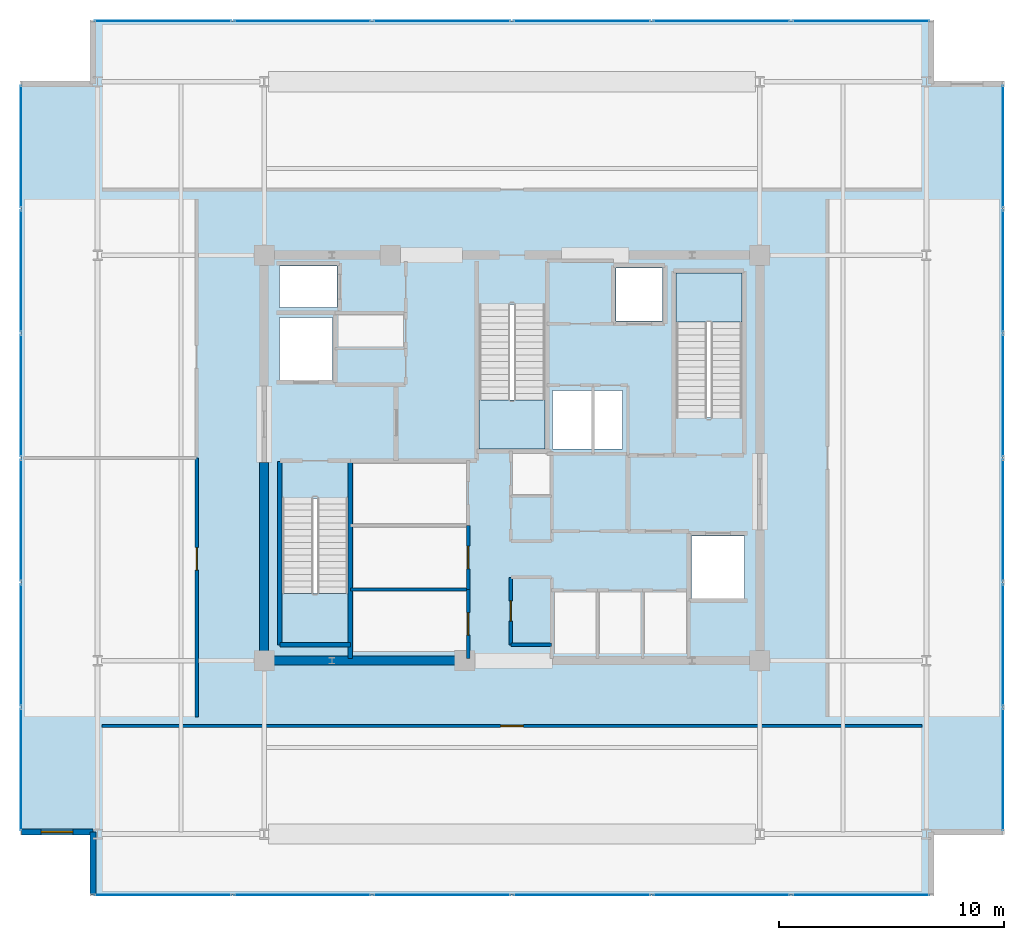
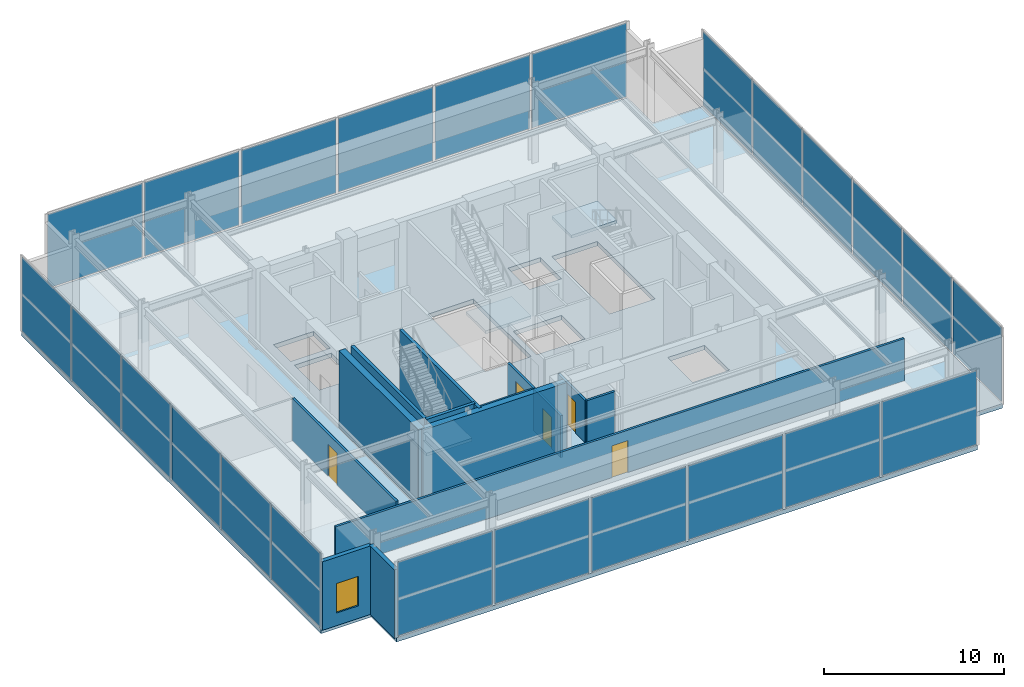
# One storey, part 17 of 24: 24 plates, 14 walls, 5 doors, 4 slabs, 1 window, 6 openings, 7 elements without a shape of their own.
"""IFC4 building model written with IfcOpenShell, lengths in metres."""

from ifc_helpers import new_model, si_unit, direction, frame, frame_2d, origin, origin_2d, place, context, subcontext, project, spatial, polyline, rectangle, outline, extrude, material, layer, layer_set, type_object, element, fill, aggregate, save


model = new_model("IFC4")

# Units and contexts
model_context = context("Model", 3, precision=1e-05, world=origin(), true_north=direction((0.0, 1.0)))
body_context = subcontext(model_context, "Body", "Model", "MODEL_VIEW")
ifc_project = project(units=[si_unit("LENGTHUNIT", "METRE"), si_unit("AREAUNIT", "SQUARE_METRE"), si_unit("VOLUMEUNIT", "CUBIC_METRE"), si_unit("PLANEANGLEUNIT", "RADIAN"), si_unit("MASSUNIT", "GRAM", prefix="KILO")], contexts=[model_context])

# Site, building, storey
site_placement = place(None, origin())
site = spatial("IfcSite", under=ifc_project, at=site_placement, CompositionType="ELEMENT")
building_placement = place(site_placement, origin())
building = spatial("IfcBuilding", under=site, at=building_placement, Name="Kovane Verandah Tower", CompositionType="ELEMENT")
storey_placement = place(building_placement, frame((0.0, 0.0, 348.800048828125)))
storey = spatial("IfcBuildingStorey", under=building, at=storey_placement, Name="L81", CompositionType="ELEMENT", Elevation=348.800048828125)

# Curtain wall, plates
ifc_material_1 = material(Name="Champagne Anodised Aluminium Frame with Low-E Clear Laminated Glass", Category="aluminium")
curtain_wall_type = type_object("IfcCurtainWallType", Name="CW-SYS-06-CROWN", PredefinedType="NOTDEFINED", material=ifc_material_1)
curtain_wall_1_placement = place(storey_placement, origin())
curtain_wall_1 = element("IfcCurtainWall", 1, at=curtain_wall_1_placement, inside=storey, type_object=curtain_wall_type, Name="L81 S Unitised Curtain Wall", PredefinedType="NOTDEFINED")
ifc_material_2 = material(Name="Clear Low-E Laminated Double Glazing", Category="glass")
ifc_layer_1 = layer(ifc_material_2, 0.031982421875)
ifc_layer_set_1 = layer_set([ifc_layer_1], Name="Clear Low-E Laminated Double Glazing")
plate_type = type_object("IfcPlateType", Name="PL-CW-VIS-32", PredefinedType="CURTAIN_PANEL", material=ifc_layer_set_1)
plate_1_placement = place(storey_placement, frame((24.5, 8.10009765625, 0.099853515625), z_axis=(0.0, 0.0, 1.0), x_axis=(1.0, 0.0, 0.0)))
plate_1 = element("IfcPlate", 2, at=plate_1_placement, type_object=plate_type, Name="L81 S Unitised Curtain Wall Full-Height Vision Panel 1", PredefinedType="CURTAIN_PANEL", context=body_context, shape_type="SweptSolid", body=[
    extrude(rectangle(XDim=6.06005859375, YDim=0.031982421875, at=origin_2d()), origin(), (0.0, 0.0, 1.0), 5.0),
])
plate_2_placement = place(storey_placement, frame((30.699951171875, 8.10009765625, 0.099853515625), z_axis=(0.0, 0.0, 1.0), x_axis=(1.0, 0.0, 0.0)))
plate_2 = element("IfcPlate", 3, at=plate_2_placement, type_object=plate_type, Name="L81 S Unitised Curtain Wall Full-Height Vision Panel 2", PredefinedType="CURTAIN_PANEL", context=body_context, shape_type="SweptSolid", body=[
    extrude(rectangle(XDim=6.06005859375, YDim=0.031982421875, at=origin_2d()), origin(), (0.0, 0.0, 1.0), 5.0),
])
plate_3_placement = place(storey_placement, frame((36.89990234375, 8.10009765625, 0.099853515625), z_axis=(0.0, 0.0, 1.0), x_axis=(1.0, 0.0, 0.0)))
plate_3 = element("IfcPlate", 4, at=plate_3_placement, type_object=plate_type, Name="L81 S Unitised Curtain Wall Full-Height Vision Panel 3", PredefinedType="CURTAIN_PANEL", context=body_context, shape_type="SweptSolid", body=[
    extrude(rectangle(XDim=6.06005859375, YDim=0.031982421875, at=origin_2d()), origin(), (0.0, 0.0, 1.0), 5.0),
])
plate_4_placement = place(storey_placement, frame((43.10009765625, 8.10009765625, 0.099853515625), z_axis=(0.0, 0.0, 1.0), x_axis=(1.0, 0.0, 0.0)))
plate_4 = element("IfcPlate", 5, at=plate_4_placement, type_object=plate_type, Name="L81 S Unitised Curtain Wall Full-Height Vision Panel 4", PredefinedType="CURTAIN_PANEL", context=body_context, shape_type="SweptSolid", body=[
    extrude(rectangle(XDim=6.06005859375, YDim=0.031982421875, at=origin_2d()), origin(), (0.0, 0.0, 1.0), 5.0),
])
plate_5_placement = place(storey_placement, frame((49.300048828125, 8.10009765625, 0.099853515625), z_axis=(0.0, 0.0, 1.0), x_axis=(1.0, 0.0, 0.0)))
plate_5 = element("IfcPlate", 6, at=plate_5_placement, type_object=plate_type, Name="L81 S Unitised Curtain Wall Full-Height Vision Panel 5", PredefinedType="CURTAIN_PANEL", context=body_context, shape_type="SweptSolid", body=[
    extrude(rectangle(XDim=6.06005859375, YDim=0.031982421875, at=origin_2d()), origin(), (0.0, 0.0, 1.0), 5.0),
])
plate_6_placement = place(storey_placement, frame((55.5, 8.10009765625, 0.099853515625), z_axis=(0.0, 0.0, 1.0), x_axis=(1.0, 0.0, 0.0)))
plate_6 = element("IfcPlate", 7, at=plate_6_placement, type_object=plate_type, Name="L81 S Unitised Curtain Wall Full-Height Vision Panel 6", PredefinedType="CURTAIN_PANEL", context=body_context, shape_type="SweptSolid", body=[
    extrude(rectangle(XDim=6.06005859375, YDim=0.031982421875, at=origin_2d()), origin(), (0.0, 0.0, 1.0), 5.0),
])
aggregate(curtain_wall_1, [plate_1, plate_2, plate_3, plate_4, plate_5, plate_6])

curtain_wall_2_placement = place(storey_placement, origin())
curtain_wall_2 = element("IfcCurtainWall", 8, at=curtain_wall_2_placement, inside=storey, type_object=curtain_wall_type, Name="L81 E Unitised Curtain Wall", PredefinedType="NOTDEFINED")
plate_7_placement = place(storey_placement, frame((61.800048828125, 13.666748046875, 0.099853515625), z_axis=(0.0, 0.0, 1.0), x_axis=(0.0, 1.0, 0.0)))
plate_7 = element("IfcPlate", 9, at=plate_7_placement, type_object=plate_type, Name="L81 E Unitised Curtain Wall Full-Height Vision Panel 1", PredefinedType="CURTAIN_PANEL", context=body_context, shape_type="SweptSolid", body=[
    extrude(rectangle(XDim=5.393310546875, YDim=0.031982421875, at=origin_2d()), origin(), (0.0, 0.0, 1.0), 5.0),
])
plate_8_placement = place(storey_placement, frame((61.800048828125, 19.199951171875, 0.099853515625), z_axis=(0.0, 0.0, 1.0), x_axis=(0.0, 1.0, 0.0)))
plate_8 = element("IfcPlate", 10, at=plate_8_placement, type_object=plate_type, Name="L81 E Unitised Curtain Wall Full-Height Vision Panel 2", PredefinedType="CURTAIN_PANEL", context=body_context, shape_type="SweptSolid", body=[
    extrude(rectangle(XDim=5.393310546875, YDim=0.031982421875, at=origin_2d()), origin(), (0.0, 0.0, 1.0), 5.0),
])
plate_9_placement = place(storey_placement, frame((61.800048828125, 24.7333984375, 0.099853515625), z_axis=(0.0, 0.0, 1.0), x_axis=(0.0, 1.0, 0.0)))
plate_9 = element("IfcPlate", 11, at=plate_9_placement, type_object=plate_type, Name="L81 E Unitised Curtain Wall Full-Height Vision Panel 3", PredefinedType="CURTAIN_PANEL", context=body_context, shape_type="SweptSolid", body=[
    extrude(rectangle(XDim=5.393310546875, YDim=0.031982421875, at=origin_2d()), origin(), (0.0, 0.0, 1.0), 5.0),
])
plate_10_placement = place(storey_placement, frame((61.800048828125, 30.2666015625, 0.099853515625), z_axis=(0.0, 0.0, 1.0), x_axis=(0.0, 1.0, 0.0)))
plate_10 = element("IfcPlate", 12, at=plate_10_placement, type_object=plate_type, Name="L81 E Unitised Curtain Wall Full-Height Vision Panel 4", PredefinedType="CURTAIN_PANEL", context=body_context, shape_type="SweptSolid", body=[
    extrude(rectangle(XDim=5.393310546875, YDim=0.031982421875, at=origin_2d()), origin(), (0.0, 0.0, 1.0), 5.0),
])
plate_11_placement = place(storey_placement, frame((61.800048828125, 35.800048828125, 0.099853515625), z_axis=(0.0, 0.0, 1.0), x_axis=(0.0, 1.0, 0.0)))
plate_11 = element("IfcPlate", 13, at=plate_11_placement, type_object=plate_type, Name="L81 E Unitised Curtain Wall Full-Height Vision Panel 5", PredefinedType="CURTAIN_PANEL", context=body_context, shape_type="SweptSolid", body=[
    extrude(rectangle(XDim=5.393310546875, YDim=0.031982421875, at=origin_2d()), origin(), (0.0, 0.0, 1.0), 5.0),
])
plate_12_placement = place(storey_placement, frame((61.800048828125, 41.333251953125, 0.099853515625), z_axis=(0.0, 0.0, 1.0), x_axis=(0.0, 1.0, 0.0)))
plate_12 = element("IfcPlate", 14, at=plate_12_placement, type_object=plate_type, Name="L81 E Unitised Curtain Wall Full-Height Vision Panel 6", PredefinedType="CURTAIN_PANEL", context=body_context, shape_type="SweptSolid", body=[
    extrude(rectangle(XDim=5.393310546875, YDim=0.031982421875, at=origin_2d()), origin(), (0.0, 0.0, 1.0), 5.0),
])
aggregate(curtain_wall_2, [plate_7, plate_8, plate_9, plate_10, plate_11, plate_12])

curtain_wall_3_placement = place(storey_placement, origin())
curtain_wall_3 = element("IfcCurtainWall", 15, at=curtain_wall_3_placement, inside=storey, type_object=curtain_wall_type, Name="L81 N Unitised Curtain Wall", PredefinedType="NOTDEFINED")
plate_13_placement = place(storey_placement, frame((55.5, 46.89990234375, 0.099853515625), z_axis=(0.0, 0.0, 1.0), x_axis=(-1.0, 0.0, 0.0)))
plate_13 = element("IfcPlate", 16, at=plate_13_placement, type_object=plate_type, Name="L81 N Unitised Curtain Wall Full-Height Vision Panel 1", PredefinedType="CURTAIN_PANEL", context=body_context, shape_type="SweptSolid", body=[
    extrude(rectangle(XDim=6.06005859375, YDim=0.031982421875, at=origin_2d()), origin(), (0.0, 0.0, 1.0), 5.0),
])
plate_14_placement = place(storey_placement, frame((49.300048828125, 46.89990234375, 0.099853515625), z_axis=(0.0, 0.0, 1.0), x_axis=(-1.0, 0.0, 0.0)))
plate_14 = element("IfcPlate", 17, at=plate_14_placement, type_object=plate_type, Name="L81 N Unitised Curtain Wall Full-Height Vision Panel 2", PredefinedType="CURTAIN_PANEL", context=body_context, shape_type="SweptSolid", body=[
    extrude(rectangle(XDim=6.06005859375, YDim=0.031982421875, at=origin_2d()), origin(), (0.0, 0.0, 1.0), 5.0),
])
plate_15_placement = place(storey_placement, frame((43.10009765625, 46.89990234375, 0.099853515625), z_axis=(0.0, 0.0, 1.0), x_axis=(-1.0, 0.0, 0.0)))
plate_15 = element("IfcPlate", 18, at=plate_15_placement, type_object=plate_type, Name="L81 N Unitised Curtain Wall Full-Height Vision Panel 3", PredefinedType="CURTAIN_PANEL", context=body_context, shape_type="SweptSolid", body=[
    extrude(rectangle(XDim=6.06005859375, YDim=0.031982421875, at=origin_2d()), origin(), (0.0, 0.0, 1.0), 5.0),
])
plate_16_placement = place(storey_placement, frame((36.89990234375, 46.89990234375, 0.099853515625), z_axis=(0.0, 0.0, 1.0), x_axis=(-1.0, 0.0, 0.0)))
plate_16 = element("IfcPlate", 19, at=plate_16_placement, type_object=plate_type, Name="L81 N Unitised Curtain Wall Full-Height Vision Panel 4", PredefinedType="CURTAIN_PANEL", context=body_context, shape_type="SweptSolid", body=[
    extrude(rectangle(XDim=6.06005859375, YDim=0.031982421875, at=origin_2d()), origin(), (0.0, 0.0, 1.0), 5.0),
])
plate_17_placement = place(storey_placement, frame((30.699951171875, 46.89990234375, 0.099853515625), z_axis=(0.0, 0.0, 1.0), x_axis=(-1.0, 0.0, 0.0)))
plate_17 = element("IfcPlate", 20, at=plate_17_placement, type_object=plate_type, Name="L81 N Unitised Curtain Wall Full-Height Vision Panel 5", PredefinedType="CURTAIN_PANEL", context=body_context, shape_type="SweptSolid", body=[
    extrude(rectangle(XDim=6.06005859375, YDim=0.031982421875, at=origin_2d()), origin(), (0.0, 0.0, 1.0), 5.0),
])
plate_18_placement = place(storey_placement, frame((24.5, 46.89990234375, 0.099853515625), z_axis=(0.0, 0.0, 1.0), x_axis=(-1.0, 0.0, 0.0)))
plate_18 = element("IfcPlate", 21, at=plate_18_placement, type_object=plate_type, Name="L81 N Unitised Curtain Wall Full-Height Vision Panel 6", PredefinedType="CURTAIN_PANEL", context=body_context, shape_type="SweptSolid", body=[
    extrude(rectangle(XDim=6.06005859375, YDim=0.031982421875, at=origin_2d()), origin(), (0.0, 0.0, 1.0), 5.0),
])
aggregate(curtain_wall_3, [plate_13, plate_14, plate_15, plate_16, plate_17, plate_18])

curtain_wall_4_placement = place(storey_placement, origin())
curtain_wall_4 = element("IfcCurtainWall", 22, at=curtain_wall_4_placement, inside=storey, type_object=curtain_wall_type, Name="L81 W Unitised Curtain Wall", PredefinedType="NOTDEFINED")
plate_19_placement = place(storey_placement, frame((18.199951171875, 41.333251953125, 0.099853515625), z_axis=(0.0, 0.0, 1.0), x_axis=(0.0, -1.0, 0.0)))
plate_19 = element("IfcPlate", 23, at=plate_19_placement, type_object=plate_type, Name="L81 W Unitised Curtain Wall Full-Height Vision Panel 1", PredefinedType="CURTAIN_PANEL", context=body_context, shape_type="SweptSolid", body=[
    extrude(rectangle(XDim=5.393310546875, YDim=0.031982421875, at=origin_2d()), origin(), (0.0, 0.0, 1.0), 5.0),
])
plate_20_placement = place(storey_placement, frame((18.199951171875, 35.800048828125, 0.099853515625), z_axis=(0.0, 0.0, 1.0), x_axis=(0.0, -1.0, 0.0)))
plate_20 = element("IfcPlate", 24, at=plate_20_placement, type_object=plate_type, Name="L81 W Unitised Curtain Wall Full-Height Vision Panel 2", PredefinedType="CURTAIN_PANEL", context=body_context, shape_type="SweptSolid", body=[
    extrude(rectangle(XDim=5.393310546875, YDim=0.031982421875, at=origin_2d()), origin(), (0.0, 0.0, 1.0), 5.0),
])
plate_21_placement = place(storey_placement, frame((18.199951171875, 30.2666015625, 0.099853515625), z_axis=(0.0, 0.0, 1.0), x_axis=(0.0, -1.0, 0.0)))
plate_21 = element("IfcPlate", 25, at=plate_21_placement, type_object=plate_type, Name="L81 W Unitised Curtain Wall Full-Height Vision Panel 3", PredefinedType="CURTAIN_PANEL", context=body_context, shape_type="SweptSolid", body=[
    extrude(rectangle(XDim=5.393310546875, YDim=0.031982421875, at=origin_2d()), origin(), (0.0, 0.0, 1.0), 5.0),
])
plate_22_placement = place(storey_placement, frame((18.199951171875, 24.7333984375, 0.099853515625), z_axis=(0.0, 0.0, 1.0), x_axis=(0.0, -1.0, 0.0)))
plate_22 = element("IfcPlate", 26, at=plate_22_placement, type_object=plate_type, Name="L81 W Unitised Curtain Wall Full-Height Vision Panel 4", PredefinedType="CURTAIN_PANEL", context=body_context, shape_type="SweptSolid", body=[
    extrude(rectangle(XDim=5.393310546875, YDim=0.031982421875, at=origin_2d()), origin(), (0.0, 0.0, 1.0), 5.0),
])
plate_23_placement = place(storey_placement, frame((18.199951171875, 19.199951171875, 0.099853515625), z_axis=(0.0, 0.0, 1.0), x_axis=(0.0, -1.0, 0.0)))
plate_23 = element("IfcPlate", 27, at=plate_23_placement, type_object=plate_type, Name="L81 W Unitised Curtain Wall Full-Height Vision Panel 5", PredefinedType="CURTAIN_PANEL", context=body_context, shape_type="SweptSolid", body=[
    extrude(rectangle(XDim=5.393310546875, YDim=0.031982421875, at=origin_2d()), origin(), (0.0, 0.0, 1.0), 5.0),
])
plate_24_placement = place(storey_placement, frame((18.199951171875, 13.666748046875, 0.099853515625), z_axis=(0.0, 0.0, 1.0), x_axis=(0.0, -1.0, 0.0)))
plate_24 = element("IfcPlate", 28, at=plate_24_placement, type_object=plate_type, Name="L81 W Unitised Curtain Wall Full-Height Vision Panel 6", PredefinedType="CURTAIN_PANEL", context=body_context, shape_type="SweptSolid", body=[
    extrude(rectangle(XDim=5.393310546875, YDim=0.031982421875, at=origin_2d()), origin(), (0.0, 0.0, 1.0), 5.0),
])
aggregate(curtain_wall_4, [plate_19, plate_20, plate_21, plate_22, plate_23, plate_24])

# Slab
ifc_material_3 = material(Name="Concrete C60/75", Category="concrete")
ifc_layer_2 = layer(ifc_material_3, 0.300048828125)
ifc_layer_set_2 = layer_set([ifc_layer_2], Name="Concrete C60/75")
slab_type_1 = type_object("IfcSlabType", Name="SL-HVY-300", PredefinedType="FLOOR", material=ifc_layer_set_2)
slab_1_placement = place(storey_placement, frame((0.0, 0.0, -0.300048828125)))
element("IfcSlab", 29, at=slab_1_placement, inside=storey, type_object=slab_type_1, Name="L81 Structural Floor Slab", PredefinedType="FLOOR", context=body_context, shape_type="SweptSolid", body=[
    extrude(outline(polyline([(21.39990234375, 8.10009765625), (58.60009765625, 8.10009765625), (58.60009765625, 10.89990234375), (61.800048828125, 10.89990234375), (61.800048828125, 44.10009765625), (58.60009765625, 44.10009765625), (58.60009765625, 46.89990234375), (21.39990234375, 46.89990234375), (21.39990234375, 44.10009765625), (18.199951171875, 44.10009765625), (18.199951171875, 10.89990234375), (21.39990234375, 10.89990234375), (21.39990234375, 8.10009765625)]), holes=[polyline([(29.800048828125, 19.300048828125), (32.719970703125, 19.300048828125), (32.719970703125, 25.705078125), (29.800048828125, 25.705078125), (29.800048828125, 19.300048828125)]), polyline([(47.280029296875, 29.294921875), (50.199951171875, 29.294921875), (50.199951171875, 35.699951171875), (47.280029296875, 35.699951171875), (47.280029296875, 29.294921875)]), polyline([(38.5400390625, 27.89990234375), (41.4599609375, 27.89990234375), (41.4599609375, 34.304931640625), (38.5400390625, 34.304931640625), (38.5400390625, 27.89990234375)]), polyline([(29.669921875, 30.969970703125), (32.030029296875, 30.969970703125), (32.030029296875, 33.72998046875), (29.669921875, 33.72998046875), (29.669921875, 30.969970703125)]), polyline([(47.969970703125, 21.27001953125), (50.330078125, 21.27001953125), (50.330078125, 24.030029296875), (47.969970703125, 24.030029296875), (47.969970703125, 21.27001953125)]), polyline([(29.669921875, 34.169921875), (32.22998046875, 34.169921875), (32.22998046875, 36.030029296875), (29.669921875, 36.030029296875), (29.669921875, 34.169921875)]), polyline([(44.6201171875, 33.570068359375), (46.679931640625, 33.570068359375), (46.679931640625, 35.929931640625), (44.6201171875, 35.929931640625), (44.6201171875, 33.570068359375)]), polyline([(41.800048828125, 27.89990234375), (44.89990234375, 27.89990234375), (44.89990234375, 30.5), (41.800048828125, 30.5), (41.800048828125, 27.89990234375)])]), origin(), (0.0, 0.0, 1.0), 0.300048828125),
])

# Stair, slab
ifc_material_4 = material(Name="Concrete C45/55", Category="concrete")
stair_type = type_object("IfcStairType", Name="ST-CORE-1380", PredefinedType="HALF_TURN_STAIR", material=ifc_material_4)
stair_1_placement = place(storey_placement, origin())
stair_1 = element("IfcStair", 30, at=stair_1_placement, inside=storey, type_object=stair_type, Name="L81 Exit Stair ST-01", PredefinedType="HALF_TURN_STAIR")
ifc_layer_3 = layer(ifc_material_4, 0.199951171875)
ifc_layer_set_3 = layer_set([ifc_layer_3], Name="Concrete C45/55")
slab_type_2 = type_object("IfcSlabType", Name="SL-LAND-200", PredefinedType="LANDING", material=ifc_layer_set_3)
slab_2_placement = place(storey_placement, frame((0.0, 0.0, 2.550048828125)))
slab_2 = element("IfcSlab", 31, at=slab_2_placement, type_object=slab_type_2, Name="ST-01 landing 1", PredefinedType="LANDING", context=body_context, shape_type="SweptSolid", body=[
    extrude(outline(polyline([(29.800048828125, 21.47509765625), (29.800048828125, 19.300048828125), (32.719970703125, 19.300048828125), (32.719970703125, 21.47509765625), (29.800048828125, 21.47509765625)])), origin(), (0.0, 0.0, 1.0), 0.199951171875),
])
aggregate(stair_1, [slab_2])

stair_2_placement = place(storey_placement, origin())
stair_2 = element("IfcStair", 32, at=stair_2_placement, inside=storey, type_object=stair_type, Name="L81 Exit Stair ST-02", PredefinedType="HALF_TURN_STAIR")
slab_3_placement = place(storey_placement, frame((0.0, 0.0, 2.550048828125)))
slab_3 = element("IfcSlab", 33, at=slab_3_placement, type_object=slab_type_2, Name="ST-02 landing 1", PredefinedType="LANDING", context=body_context, shape_type="SweptSolid", body=[
    extrude(outline(polyline([(50.199951171875, 33.52490234375), (50.199951171875, 35.699951171875), (47.280029296875, 35.699951171875), (47.280029296875, 33.52490234375), (50.199951171875, 33.52490234375)])), origin(), (0.0, 0.0, 1.0), 0.199951171875),
])
aggregate(stair_2, [slab_3])

stair_3_placement = place(storey_placement, origin())
stair_3 = element("IfcStair", 34, at=stair_3_placement, inside=storey, type_object=stair_type, Name="L81 Exit Stair ST-03", PredefinedType="HALF_TURN_STAIR")
slab_4_placement = place(storey_placement, frame((0.0, 0.0, 2.550048828125)))
slab_4 = element("IfcSlab", 35, at=slab_4_placement, type_object=slab_type_2, Name="ST-03 landing 1", PredefinedType="LANDING", context=body_context, shape_type="SweptSolid", body=[
    extrude(outline(polyline([(38.5400390625, 30.074951171875), (38.5400390625, 27.89990234375), (41.4599609375, 27.89990234375), (41.4599609375, 30.074951171875), (38.5400390625, 30.074951171875)])), origin(), (0.0, 0.0, 1.0), 0.199951171875),
])
aggregate(stair_3, [slab_4])

# Wall
ifc_material_5 = material(Name="Fire-Rated Gypsum Stud Partition", Category="gypsum")
ifc_layer_4 = layer(ifc_material_5, 0.14990234375)
ifc_layer_set_4 = layer_set([ifc_layer_4], Name="Fire-Rated Gypsum Stud Partition")
wall_type_1 = type_object("IfcWallType", Name="WL-COR-150", PredefinedType="PARTITIONING", material=ifc_layer_set_4)
wall_1_placement = place(storey_placement, frame((39.949951171875, 19.199951171875, 0.0), z_axis=(0.0, 0.0, 1.0), x_axis=(1.0, 0.0, 0.0)))
element("IfcWall", 36, at=wall_1_placement, inside=storey, type_object=wall_type_1, Name="L81 Central Core Strip South Wall", PredefinedType="PARTITIONING", context=body_context, shape_type="SweptSolid", body=[
    extrude(rectangle(XDim=1.81005859375, YDim=0.14990234375, at=frame_2d((0.905029296875, 0.0))), origin(), (0.0, 0.0, 1.0), 2.849853515625),
])

# Wall, opening, door
wall_2_placement = place(storey_placement, frame((39.949951171875, 19.199951171875, 0.0), z_axis=(0.0, 0.0, 1.0), x_axis=(0.0, 1.0, 0.0)))
wall_2 = element("IfcWall", 37, at=wall_2_placement, inside=storey, type_object=wall_type_1, Name="L81 Male Toilet Partition", PredefinedType="PARTITIONING", context=body_context, shape_type="SweptSolid", body=[
    extrude(rectangle(XDim=3.0, YDim=0.14990234375, at=frame_2d((1.5, 0.0))), origin(), (0.0, 0.0, 1.0), 2.849853515625),
])
opening_1_placement = place(wall_2_placement, frame((1.050048828125, 0.0, 0.0)))
opening_1 = element("IfcOpeningElement", 38, at=opening_1_placement, cuts=wall_2, Name="Opening DR-L81-029", PredefinedType="OPENING", context=body_context, shape_type="SweptSolid", body=[
    extrude(rectangle(XDim=0.89990234375, YDim=2.10009765625, at=frame_2d((0.449951171875, 1.050048828125))), frame((0.0, 0.074951171875, 0.0), z_axis=(0.0, -1.0, 0.0), x_axis=(1.0, 0.0, 0.0)), (0.0, 0.0, 1.0), 0.14990234375),
])
ifc_material_6 = material(Name="Moisture-Resistant Laminate Washroom Door", Category="wood")
door_type_1 = type_object("IfcDoorType", Name="DR-WC-900", OperationType="SINGLE_SWING_LEFT", PredefinedType="DOOR", material=ifc_material_6)
door_1_placement = place(opening_1_placement, origin())
door_1 = element("IfcDoor", 39, at=door_1_placement, inside=storey, type_object=door_type_1, Name="L81 Male Toilet Door", OperationType="SINGLE_SWING_LEFT", OverallHeight=2.10009765625, OverallWidth=0.89990234375, PredefinedType="DOOR", context=body_context, shape_type="SweptSolid", body=[
    extrude(rectangle(XDim=0.89990234375, YDim=2.10009765625, at=frame_2d((0.449951171875, 1.050048828125))), frame((0.0, 0.02490234375, 0.0), z_axis=(0.0, -1.0, 0.0), x_axis=(1.0, 0.0, 0.0)), (0.0, 0.0, 1.0), 0.050048828125),
])
fill(opening_1, door_1)

wall_3_placement = place(storey_placement, frame((38.050048828125, 18.60009765625, 0.0), z_axis=(0.0, 0.0, 1.0), x_axis=(0.0, 1.0, 0.0)))
wall_3 = element("IfcWall", 40, at=wall_3_placement, inside=storey, type_object=wall_type_1, Name="L81 Project Archive Room Partition", PredefinedType="PARTITIONING", context=body_context, shape_type="SweptSolid", body=[
    extrude(rectangle(XDim=3.059814453125, YDim=0.14990234375, at=frame_2d((1.52978515625, 0.0))), origin(), (0.0, 0.0, 1.0), 2.849853515625),
])
opening_2_placement = place(wall_3_placement, frame((1.030029296875, 0.0, 0.0)))
opening_2 = element("IfcOpeningElement", 41, at=opening_2_placement, cuts=wall_3, Name="Opening DR-L81-013", PredefinedType="OPENING", context=body_context, shape_type="SweptSolid", body=[
    extrude(rectangle(XDim=1.0, YDim=2.14990234375, at=frame_2d((0.5, 1.074951171875))), frame((0.0, 0.074951171875, 0.0), z_axis=(0.0, -1.0, 0.0), x_axis=(1.0, 0.0, 0.0)), (0.0, 0.0, 1.0), 0.14990234375),
])
ifc_material_7 = material(Name="FSC Spotted-Gum Timber Fire-Rated Office Door", Category="wood")
door_type_2 = type_object("IfcDoorType", Name="DR-OFF-1000", OperationType="SINGLE_SWING_LEFT", PredefinedType="DOOR", material=ifc_material_7)
door_2_placement = place(opening_2_placement, origin())
door_2 = element("IfcDoor", 42, at=door_2_placement, inside=storey, type_object=door_type_2, Name="L81 Project Archive Room Door", OperationType="SINGLE_SWING_LEFT", OverallHeight=2.14990234375, OverallWidth=1.0, PredefinedType="DOOR", context=body_context, shape_type="SweptSolid", body=[
    extrude(rectangle(XDim=1.0, YDim=2.14990234375, at=frame_2d((0.5, 1.074951171875))), frame((0.0, 0.02490234375, 0.0), z_axis=(0.0, -1.0, 0.0), x_axis=(1.0, 0.0, 0.0)), (0.0, 0.0, 1.0), 0.050048828125),
])
fill(opening_2, door_2)

wall_4_placement = place(storey_placement, frame((38.050048828125, 21.659912109375, 0.0), z_axis=(0.0, 0.0, 1.0), x_axis=(0.0, 1.0, 0.0)))
wall_4 = element("IfcWall", 43, at=wall_4_placement, inside=storey, type_object=wall_type_1, Name="L81 First Aid and Wellness Room Partition", PredefinedType="PARTITIONING", context=body_context, shape_type="SweptSolid", body=[
    extrude(rectangle(XDim=2.840087890625, YDim=0.14990234375, at=frame_2d((1.419921875, 0.0))), origin(), (0.0, 0.0, 1.0), 2.849853515625),
])
opening_3_placement = place(wall_4_placement, frame((0.919921875, 0.0, 0.0)))
opening_3 = element("IfcOpeningElement", 44, at=opening_3_placement, cuts=wall_4, Name="Opening DR-L81-014", PredefinedType="OPENING", context=body_context, shape_type="SweptSolid", body=[
    extrude(rectangle(XDim=1.0, YDim=2.14990234375, at=frame_2d((0.5, 1.074951171875))), frame((0.0, 0.074951171875, 0.0), z_axis=(0.0, -1.0, 0.0), x_axis=(1.0, 0.0, 0.0)), (0.0, 0.0, 1.0), 0.14990234375),
])
door_3_placement = place(opening_3_placement, origin())
door_3 = element("IfcDoor", 45, at=door_3_placement, inside=storey, type_object=door_type_2, Name="L81 First Aid and Wellness Room Door", OperationType="SINGLE_SWING_RIGHT", OverallHeight=2.14990234375, OverallWidth=1.0, PredefinedType="DOOR", context=body_context, shape_type="SweptSolid", body=[
    extrude(rectangle(XDim=1.0, YDim=2.14990234375, at=frame_2d((0.5, 1.074951171875))), frame((0.0, 0.02490234375, 0.0), z_axis=(0.0, -1.0, 0.0), x_axis=(1.0, 0.0, 0.0)), (0.0, 0.0, 1.0), 0.050048828125),
])
fill(opening_3, door_3)

wall_5_placement = place(storey_placement, frame((21.800048828125, 15.60009765625, 0.0), z_axis=(0.0, 0.0, 1.0), x_axis=(1.0, 0.0, 0.0)))
wall_5 = element("IfcWall", 46, at=wall_5_placement, inside=storey, type_object=wall_type_1, Name="L81 Public Observation Viewing Gallery South Corridor Partition", PredefinedType="PARTITIONING", context=body_context, shape_type="SweptSolid", body=[
    extrude(rectangle(XDim=36.39990234375, YDim=0.14990234375, at=frame_2d((18.199951171875, 0.0))), origin(), (0.0, 0.0, 1.0), 2.849853515625),
])
opening_4_placement = place(wall_5_placement, frame((17.699951171875, 0.0, 0.0)))
opening_4 = element("IfcOpeningElement", 47, at=opening_4_placement, cuts=wall_5, Name="Opening DR-L81-025", PredefinedType="OPENING", context=body_context, shape_type="SweptSolid", body=[
    extrude(rectangle(XDim=1.0, YDim=2.14990234375, at=frame_2d((0.5, 1.074951171875))), frame((0.0, 0.074951171875, 0.0), z_axis=(0.0, -1.0, 0.0), x_axis=(1.0, 0.0, 0.0)), (0.0, 0.0, 1.0), 0.14990234375),
])
door_4_placement = place(opening_4_placement, origin())
door_4 = element("IfcDoor", 48, at=door_4_placement, inside=storey, type_object=door_type_2, Name="L81 Public Observation Viewing Gallery South Entrance Door", OperationType="SINGLE_SWING_RIGHT", OverallHeight=2.14990234375, OverallWidth=1.0, PredefinedType="DOOR", context=body_context, shape_type="SweptSolid", body=[
    extrude(rectangle(XDim=1.0, YDim=2.14990234375, at=frame_2d((0.5, 1.074951171875))), frame((0.0, 0.02490234375, 0.0), z_axis=(0.0, -1.0, 0.0), x_axis=(1.0, 0.0, 0.0)), (0.0, 0.0, 1.0), 0.050048828125),
])
fill(opening_4, door_4)

wall_6_placement = place(storey_placement, frame((26.0, 16.0, 0.0), z_axis=(0.0, 0.0, 1.0), x_axis=(0.0, 1.0, 0.0)))
wall_6 = element("IfcWall", 49, at=wall_6_placement, inside=storey, type_object=wall_type_1, Name="L81 Sky Harbour Cafe and Lounge Corridor Partition", PredefinedType="PARTITIONING", context=body_context, shape_type="SweptSolid", body=[
    extrude(rectangle(XDim=11.5, YDim=0.14990234375, at=frame_2d((5.75, 0.0))), origin(), (0.0, 0.0, 1.0), 2.849853515625),
])
opening_5_placement = place(wall_6_placement, frame((6.514892578125, 0.0, 0.0)))
opening_5 = element("IfcOpeningElement", 50, at=opening_5_placement, cuts=wall_6, Name="Opening DR-L81-010", PredefinedType="OPENING", context=body_context, shape_type="SweptSolid", body=[
    extrude(rectangle(XDim=1.0, YDim=2.14990234375, at=frame_2d((0.5, 1.074951171875))), frame((0.0, 0.074951171875, 0.0), z_axis=(0.0, -1.0, 0.0), x_axis=(1.0, 0.0, 0.0)), (0.0, 0.0, 1.0), 0.14990234375),
])
door_5_placement = place(opening_5_placement, origin())
door_5 = element("IfcDoor", 51, at=door_5_placement, inside=storey, type_object=door_type_2, Name="L81 Sky Harbour Cafe and Lounge Entrance Door", OperationType="SINGLE_SWING_LEFT", OverallHeight=2.14990234375, OverallWidth=1.0, PredefinedType="DOOR", context=body_context, shape_type="SweptSolid", body=[
    extrude(rectangle(XDim=1.0, YDim=2.14990234375, at=frame_2d((0.5, 1.074951171875))), frame((0.0, 0.02490234375, 0.0), z_axis=(0.0, -1.0, 0.0), x_axis=(1.0, 0.0, 0.0)), (0.0, 0.0, 1.0), 0.050048828125),
])
fill(opening_5, door_5)

# Walls
ifc_layer_5 = layer(ifc_material_3, 0.39990234375)
ifc_layer_set_5 = layer_set([ifc_layer_5], Name="Concrete C60/75")
wall_type_2 = type_object("IfcWallType", Name="WL-CORE-400", PredefinedType="SHEAR", material=ifc_layer_set_5)
wall_7_placement = place(storey_placement, frame((29.0, 18.5, 0.0), z_axis=(0.0, 0.0, 1.0), x_axis=(1.0, 0.0, 0.0)))
element("IfcWall", 52, at=wall_7_placement, inside=storey, type_object=wall_type_2, Name="L81 Core Shear Wall CS-1", PredefinedType="SHEAR", context=body_context, shape_type="SweptSolid", body=[
    extrude(rectangle(XDim=9.199951171875, YDim=0.39990234375, at=frame_2d((4.60009765625, 0.0))), origin(), (0.0, 0.0, 1.0), 5.199951171875),
])
wall_8_placement = place(storey_placement, frame((29.0, 18.5, 0.0), z_axis=(0.0, 0.0, 1.0), x_axis=(0.0, 1.0, 0.0)))
element("IfcWall", 53, at=wall_8_placement, inside=storey, type_object=wall_type_2, Name="L81 Core Shear Wall CW-1", PredefinedType="SHEAR", context=body_context, shape_type="SweptSolid", body=[
    extrude(rectangle(XDim=8.800048828125, YDim=0.39990234375, at=frame_2d((4.39990234375, 0.0))), origin(), (0.0, 0.0, 1.0), 5.199951171875),
])
ifc_material_8 = material(Name="Acoustic Fire-Rated Gypsum Partition", Category="gypsum")
ifc_layer_6 = layer(ifc_material_8, 0.1201171875)
ifc_layer_set_6 = layer_set([ifc_layer_6], Name="Acoustic Fire-Rated Gypsum Partition")
wall_type_3 = type_object("IfcWallType", Name="WL-PART-120", PredefinedType="PARTITIONING", material=ifc_layer_set_6)
wall_9_placement = place(storey_placement, frame((32.820068359375, 21.659912109375, 0.0), z_axis=(0.0, 0.0, 1.0), x_axis=(1.0, 0.0, 0.0)))
element("IfcWall", 54, at=wall_9_placement, inside=storey, type_object=wall_type_3, Name="L81 Core Support Lower Dividing Partition", PredefinedType="PARTITIONING", context=body_context, shape_type="SweptSolid", body=[
    extrude(rectangle(XDim=5.22998046875, YDim=0.1201171875, at=frame_2d((2.614990234375, 0.0))), origin(), (0.0, 0.0, 1.0), 2.849853515625),
])
ifc_layer_7 = layer(ifc_material_4, 0.199951171875)
ifc_layer_set_7 = layer_set([ifc_layer_7], Name="Concrete C45/55")
wall_type_4 = type_object("IfcWallType", Name="WL-SHAFT-200", PredefinedType="SOLIDWALL", material=ifc_layer_set_7)
wall_10_placement = place(storey_placement, frame((29.699951171875, 19.199951171875, 0.0), z_axis=(0.0, 0.0, 1.0), x_axis=(0.0, 1.0, 0.0)))
element("IfcWall", 55, at=wall_10_placement, inside=storey, type_object=wall_type_4, Name="W-L81-ST01-W", PredefinedType="SOLIDWALL", context=body_context, shape_type="SweptSolid", body=[
    extrude(rectangle(XDim=8.150146484375, YDim=0.199951171875, at=frame_2d((4.0751953125, 0.0))), origin(), (0.0, 0.0, 1.0), 5.199951171875),
])
wall_11_placement = place(storey_placement, frame((29.699951171875, 19.199951171875, 0.0), z_axis=(0.0, 0.0, 1.0), x_axis=(1.0, 0.0, 0.0)))
element("IfcWall", 56, at=wall_11_placement, inside=storey, type_object=wall_type_4, Name="W-L81-ST01-S", PredefinedType="SOLIDWALL", context=body_context, shape_type="SweptSolid", body=[
    extrude(rectangle(XDim=3.1201171875, YDim=0.199951171875, at=frame_2d((1.56005859375, 0.0))), origin(), (0.0, 0.0, 1.0), 5.199951171875),
])
wall_12_placement = place(storey_placement, frame((32.820068359375, 18.60009765625, 0.0), z_axis=(0.0, 0.0, 1.0), x_axis=(0.0, 1.0, 0.0)))
element("IfcWall", 57, at=wall_12_placement, inside=storey, type_object=wall_type_4, Name="W-L81-ST01-E", PredefinedType="SOLIDWALL", context=body_context, shape_type="SweptSolid", body=[
    extrude(rectangle(XDim=8.77978515625, YDim=0.199951171875, at=frame_2d((4.389892578125, 0.0))), origin(), (0.0, 0.0, 1.0), 5.199951171875),
])

# Wall, opening, window
ifc_material_9 = material(Name="Concrete C45/55 Insulated Spandrel Wall", Category="concrete")
ifc_layer_8 = layer(ifc_material_9, 0.260009765625)
ifc_layer_set_8 = layer_set([ifc_layer_8], Name="Concrete C45/55 Insulated Spandrel Wall")
wall_type_5 = type_object("IfcWallType", Name="WL-SPANDREL-260", PredefinedType="PARAPET", material=ifc_layer_set_8)
wall_13_placement = place(storey_placement, frame((18.199951171875, 10.89990234375, 0.0), z_axis=(0.0, 0.0, 1.0), x_axis=(1.0, 0.0, 0.0)))
wall_13 = element("IfcWall", 58, at=wall_13_placement, inside=storey, type_object=wall_type_5, Name="L81 SW Notch Cheek Wall 1", PredefinedType="PARAPET", context=body_context, shape_type="SweptSolid", body=[
    extrude(rectangle(XDim=3.199951171875, YDim=0.260009765625, at=frame_2d((1.60009765625, 0.0))), origin(), (0.0, 0.0, 1.0), 4.635498046875),
])
opening_6_placement = place(wall_13_placement, frame((0.89990234375, 0.0, 0.85009765625)))
opening_6 = element("IfcOpeningElement", 59, at=opening_6_placement, cuts=wall_13, Name="Opening W-01", PredefinedType="OPENING", context=body_context, shape_type="SweptSolid", body=[
    extrude(rectangle(XDim=1.39990234375, YDim=2.0, at=frame_2d((0.699951171875, 1.0))), frame((0.0, 0.1298828125, 0.0), z_axis=(0.0, -1.0, 0.0), x_axis=(1.0, 0.0, 0.0)), (0.0, 0.0, 1.0), 0.260009765625),
])
ifc_material_10 = material(Name="Clear Low-E Laminated Double Glazing in Anodised Frame", Category="glass")
window_type = type_object("IfcWindowType", Name="WN-OPER-1400x2000", PartitioningType="SINGLE_PANEL", PredefinedType="WINDOW", material=ifc_material_10)
window_placement = place(opening_6_placement, origin())
window = element("IfcWindow", 60, at=window_placement, inside=storey, type_object=window_type, Name="L81 SW Re-Entrant Corner Operable Window", OverallHeight=2.0, OverallWidth=1.39990234375, PartitioningType="SINGLE_PANEL", PredefinedType="WINDOW", context=body_context, shape_type="SweptSolid", body=[
    extrude(rectangle(XDim=1.39990234375, YDim=2.0, at=frame_2d((0.699951171875, 1.0))), frame((0.0, 0.030029296875, 0.0), z_axis=(0.0, -1.0, 0.0), x_axis=(1.0, 0.0, 0.0)), (0.0, 0.0, 1.0), 0.06005859375),
])
fill(opening_6, window)

# Wall
wall_14_placement = place(storey_placement, frame((21.39990234375, 10.89990234375, 0.0), z_axis=(0.0, 0.0, 1.0), x_axis=(0.0, -1.0, 0.0)))
element("IfcWall", 61, at=wall_14_placement, inside=storey, type_object=wall_type_5, Name="L81 SW Notch Cheek Wall 2", PredefinedType="PARAPET", context=body_context, shape_type="SweptSolid", body=[
    extrude(rectangle(XDim=2.7998046875, YDim=0.260009765625, at=frame_2d((1.39990234375, 0.0))), origin(), (0.0, 0.0, 1.0), 4.635498046875),
])

save(model, "model.ifc")
